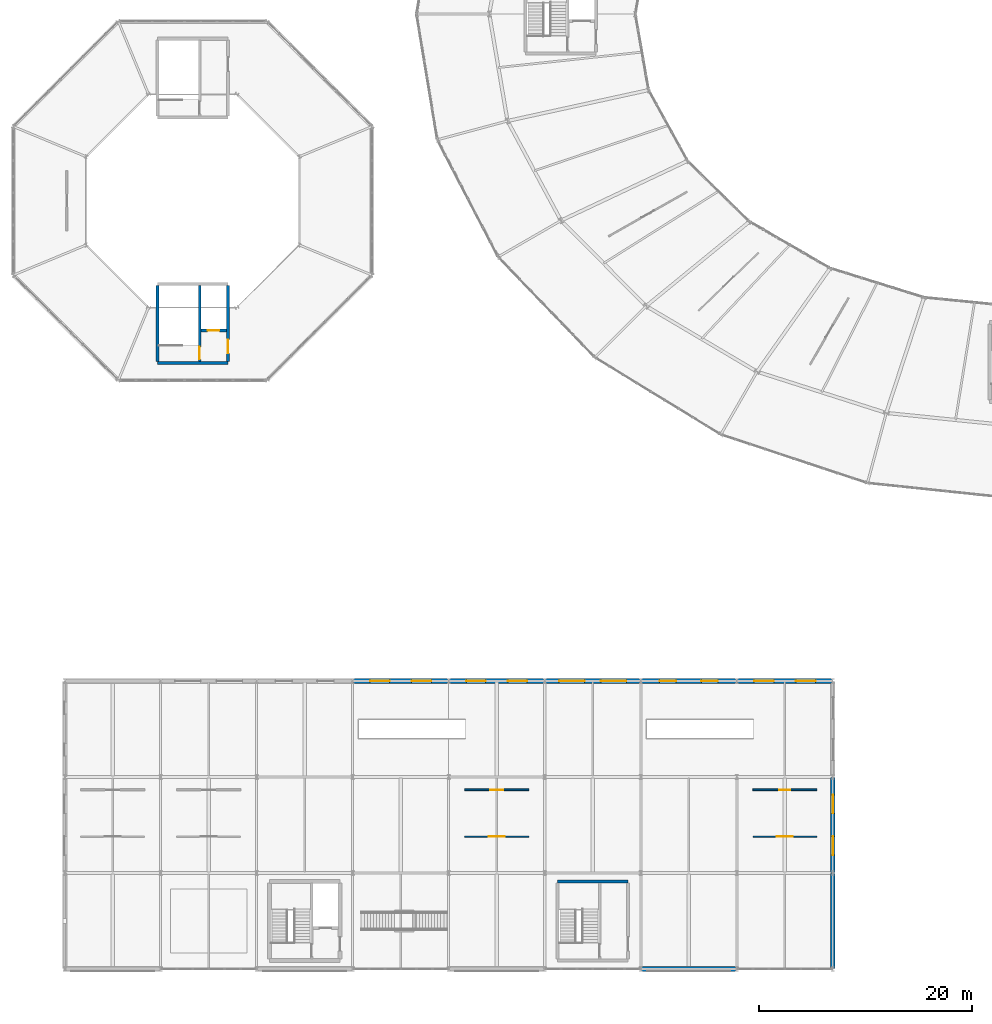
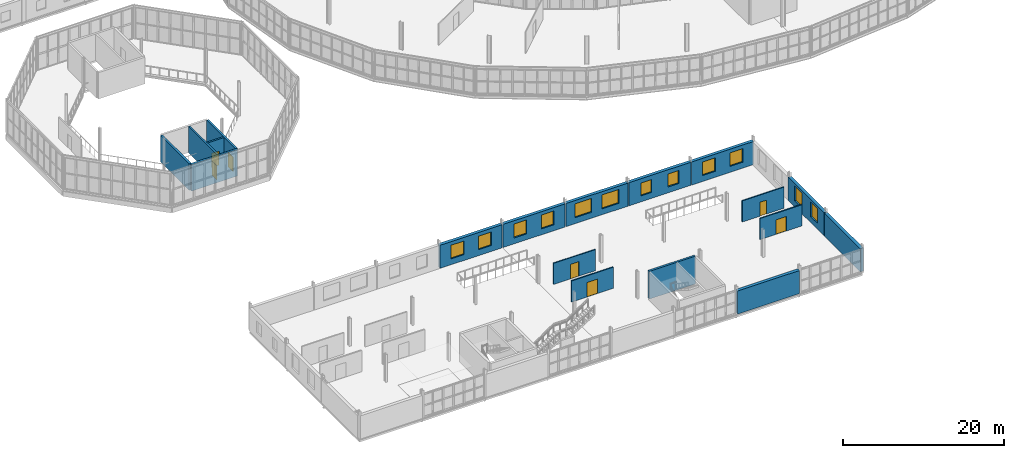
# One storey, part 134 of 161: 18 walls, 12 windows, 7 doors, 19 openings.
"""IFC4 building model written with IfcOpenShell, lengths in metres."""

from ifc_helpers import new_model, si_unit, direction, frame, frame_2d, origin, place, context, subcontext, project, spatial, rectangle, extrude, material, layer, layer_set, type_object, element, fill, save


model = new_model("IFC4")

# Units and contexts
model_context = context("Model", 3, precision=1e-05, world=origin(), true_north=direction((0.0, 1.0)))
body_context = subcontext(model_context, "Body", "Model", "MODEL_VIEW")
ifc_project = project(units=[si_unit("LENGTHUNIT", "METRE"), si_unit("AREAUNIT", "SQUARE_METRE"), si_unit("VOLUMEUNIT", "CUBIC_METRE"), si_unit("PLANEANGLEUNIT", "RADIAN"), si_unit("MASSUNIT", "GRAM", prefix="KILO")], contexts=[model_context])

# Site, building, storey
site_placement = place(None, origin())
site = spatial("IfcSite", under=ifc_project, at=site_placement, CompositionType="ELEMENT")
building_placement = place(site_placement, origin())
building = spatial("IfcBuilding", under=site, at=building_placement, Name="Kildeholm Park Wholesale Market", CompositionType="ELEMENT")
storey_placement = place(building_placement, frame((0.0, 0.0, 5.39990234375)))
storey = spatial("IfcBuildingStorey", under=building, at=storey_placement, Name="L01", CompositionType="ELEMENT", Elevation=5.39990234375)

# Wall
ifc_material_1 = material(Name="Insulated clinker brick and glazed ceramic mosaic facade wall", Category="masonry")
ifc_layer_1 = layer(ifc_material_1, 0.43994140625)
ifc_layer_set_1 = layer_set([ifc_layer_1], Name="Insulated clinker brick and glazed ceramic mosaic facade wall")
wall_type_1 = type_object("IfcWallType", Name="Exterior wall W-EX3 440 mm", PredefinedType="SOLIDWALL", material=ifc_layer_set_1)
wall_1_placement = place(storey_placement, frame((63.06005859375, 0.0, 0.0), z_axis=(0.0, 0.0, 1.0), x_axis=(1.0, 0.0, 0.0)))
element("IfcWall", 1, at=wall_1_placement, inside=storey, type_object=wall_type_1, Name="Exterior wall V5W-L01-S07.1 WL-0520", PredefinedType="SOLIDWALL", context=body_context, shape_type="SweptSolid", body=[
    extrude(rectangle(XDim=8.8798828125, YDim=0.43994140625, at=frame_2d((4.43994140625, 0.0))), origin(), (0.0, 0.0, 1.0), 3.5),
])

# Wall, openings, windows
wall_2_placement = place(storey_placement, frame((36.06005859375, 27.0, 0.0), z_axis=(0.0, 0.0, 1.0), x_axis=(1.0, 0.0, 0.0)))
wall_2 = element("IfcWall", 2, at=wall_2_placement, inside=storey, type_object=wall_type_1, Name="Exterior wall V5W-L01-N.4 WL-0524", PredefinedType="SOLIDWALL", context=body_context, shape_type="SweptSolid", body=[
    extrude(rectangle(XDim=8.8798828125, YDim=0.43994140625, at=frame_2d((4.43994140625, 0.0))), origin(), (0.0, 0.0, 1.0), 3.5),
])
opening_1_placement = place(wall_2_placement, frame((1.56103515625, 0.0, 0.89990234375)))
opening_1 = element("IfcOpeningElement", 3, at=opening_1_placement, cuts=wall_2, Name="Opening WN-30", PredefinedType="OPENING", context=body_context, shape_type="SweptSolid", body=[
    extrude(rectangle(XDim=1.85009765625, YDim=2.050048828125, at=frame_2d((0.925048828125, 1.02490234375))), frame((0.0, 0.22998046875, 0.0), z_axis=(0.0, -1.0, 0.0), x_axis=(1.0, 0.0, 0.0)), (0.0, 0.0, 1.0), 0.4599609375),
])
opening_2_placement = place(wall_2_placement, frame((5.468994140625, 0.0, 0.89990234375)))
opening_2 = element("IfcOpeningElement", 4, at=opening_2_placement, cuts=wall_2, Name="Opening WN-30", PredefinedType="OPENING", context=body_context, shape_type="SweptSolid", body=[
    extrude(rectangle(XDim=1.85009765625, YDim=2.050048828125, at=frame_2d((0.925048828125, 1.02490234375))), frame((0.0, 0.22998046875, 0.0), z_axis=(0.0, -1.0, 0.0), x_axis=(1.0, 0.0, 0.0)), (0.0, 0.0, 1.0), 0.4599609375),
])
ifc_material_2 = material(Name="Thermally broken aluminium and triple-glazed low-E glass", Category="aluminium")
window_type_1 = type_object("IfcWindowType", Name="Window WN-30 1850x2050", PartitioningType="DOUBLE_PANEL_VERTICAL", PredefinedType="WINDOW", material=ifc_material_2)
window_1_placement = place(opening_1_placement, origin())
window_1 = element("IfcWindow", 5, at=window_1_placement, inside=storey, type_object=window_type_1, Name="Window V5W-L01-N.4.1 WIN-0307", OverallHeight=2.050048828125, OverallWidth=1.85009765625, PartitioningType="SINGLE_PANEL", PredefinedType="WINDOW", context=body_context, shape_type="SweptSolid", body=[
    extrude(rectangle(XDim=1.85009765625, YDim=2.050048828125, at=frame_2d((0.925048828125, 1.02490234375))), frame((0.0, 0.030029296875, 0.0), z_axis=(0.0, -1.0, 0.0), x_axis=(1.0, 0.0, 0.0)), (0.0, 0.0, 1.0), 0.06005859375),
])
fill(opening_1, window_1)
window_2_placement = place(opening_2_placement, origin())
window_2 = element("IfcWindow", 6, at=window_2_placement, inside=storey, type_object=window_type_1, Name="Window V5W-L01-N.4.2 WIN-0308", OverallHeight=2.050048828125, OverallWidth=1.85009765625, PartitioningType="SINGLE_PANEL", PredefinedType="WINDOW", context=body_context, shape_type="SweptSolid", body=[
    extrude(rectangle(XDim=1.85009765625, YDim=2.050048828125, at=frame_2d((0.925048828125, 1.02490234375))), frame((0.0, 0.030029296875, 0.0), z_axis=(0.0, -1.0, 0.0), x_axis=(1.0, 0.0, 0.0)), (0.0, 0.0, 1.0), 0.06005859375),
])
fill(opening_2, window_2)

wall_3_placement = place(storey_placement, frame((45.06005859375, 27.0, 0.0), z_axis=(0.0, 0.0, 1.0), x_axis=(1.0, 0.0, 0.0)))
wall_3 = element("IfcWall", 7, at=wall_3_placement, inside=storey, type_object=wall_type_1, Name="Exterior wall V5W-L01-N.5 WL-0525", PredefinedType="SOLIDWALL", context=body_context, shape_type="SweptSolid", body=[
    extrude(rectangle(XDim=8.8798828125, YDim=0.43994140625, at=frame_2d((4.43994140625, 0.0))), origin(), (0.0, 0.0, 1.0), 3.5),
])
opening_3_placement = place(wall_3_placement, frame((1.5859375, 0.0, 0.89990234375)))
opening_3 = element("IfcOpeningElement", 8, at=opening_3_placement, cuts=wall_3, Name="Opening WN-02", PredefinedType="OPENING", context=body_context, shape_type="SweptSolid", body=[
    extrude(rectangle(XDim=1.800048828125, YDim=2.10009765625, at=frame_2d((0.89990234375, 1.050048828125))), frame((0.0, 0.22998046875, 0.0), z_axis=(0.0, -1.0, 0.0), x_axis=(1.0, 0.0, 0.0)), (0.0, 0.0, 1.0), 0.4599609375),
])
opening_4_placement = place(wall_3_placement, frame((5.493896484375, 0.0, 0.89990234375)))
opening_4 = element("IfcOpeningElement", 9, at=opening_4_placement, cuts=wall_3, Name="Opening WN-02", PredefinedType="OPENING", context=body_context, shape_type="SweptSolid", body=[
    extrude(rectangle(XDim=1.800048828125, YDim=2.10009765625, at=frame_2d((0.89990234375, 1.050048828125))), frame((0.0, 0.22998046875, 0.0), z_axis=(0.0, -1.0, 0.0), x_axis=(1.0, 0.0, 0.0)), (0.0, 0.0, 1.0), 0.4599609375),
])
window_type_2 = type_object("IfcWindowType", Name="Window WN-02 1800x2100", PartitioningType="DOUBLE_PANEL_VERTICAL", PredefinedType="WINDOW", material=ifc_material_2)
window_3_placement = place(opening_3_placement, origin())
window_3 = element("IfcWindow", 10, at=window_3_placement, inside=storey, type_object=window_type_2, Name="Window V5W-L01-N.5.1 WIN-0309", OverallHeight=2.10009765625, OverallWidth=1.800048828125, PartitioningType="SINGLE_PANEL", PredefinedType="WINDOW", context=body_context, shape_type="SweptSolid", body=[
    extrude(rectangle(XDim=1.800048828125, YDim=2.10009765625, at=frame_2d((0.89990234375, 1.050048828125))), frame((0.0, 0.030029296875, 0.0), z_axis=(0.0, -1.0, 0.0), x_axis=(1.0, 0.0, 0.0)), (0.0, 0.0, 1.0), 0.06005859375),
])
fill(opening_3, window_3)
window_4_placement = place(opening_4_placement, origin())
window_4 = element("IfcWindow", 11, at=window_4_placement, inside=storey, type_object=window_type_2, Name="Window V5W-L01-N.5.2 WIN-0310", OverallHeight=2.10009765625, OverallWidth=1.800048828125, PartitioningType="SINGLE_PANEL", PredefinedType="WINDOW", context=body_context, shape_type="SweptSolid", body=[
    extrude(rectangle(XDim=1.800048828125, YDim=2.10009765625, at=frame_2d((0.89990234375, 1.050048828125))), frame((0.0, 0.030029296875, 0.0), z_axis=(0.0, -1.0, 0.0), x_axis=(1.0, 0.0, 0.0)), (0.0, 0.0, 1.0), 0.06005859375),
])
fill(opening_4, window_4)

wall_4_placement = place(storey_placement, frame((54.06005859375, 27.0, 0.0), z_axis=(0.0, 0.0, 1.0), x_axis=(1.0, 0.0, 0.0)))
wall_4 = element("IfcWall", 12, at=wall_4_placement, inside=storey, type_object=wall_type_1, Name="Exterior wall V5W-L01-N.6 WL-0526", PredefinedType="SOLIDWALL", context=body_context, shape_type="SweptSolid", body=[
    extrude(rectangle(XDim=8.8798828125, YDim=0.43994140625, at=frame_2d((4.43994140625, 0.0))), origin(), (0.0, 0.0, 1.0), 3.5),
])
opening_5_placement = place(wall_4_placement, frame((1.285888671875, 0.0, 0.89990234375)))
opening_5 = element("IfcOpeningElement", 13, at=opening_5_placement, cuts=wall_4, Name="Opening WN-04", PredefinedType="OPENING", context=body_context, shape_type="SweptSolid", body=[
    extrude(rectangle(XDim=2.39990234375, YDim=2.10009765625, at=frame_2d((1.199951171875, 1.050048828125))), frame((0.0, 0.22998046875, 0.0), z_axis=(0.0, -1.0, 0.0), x_axis=(1.0, 0.0, 0.0)), (0.0, 0.0, 1.0), 0.4599609375),
])
opening_6_placement = place(wall_4_placement, frame((5.194091796875, 0.0, 0.89990234375)))
opening_6 = element("IfcOpeningElement", 14, at=opening_6_placement, cuts=wall_4, Name="Opening WN-04", PredefinedType="OPENING", context=body_context, shape_type="SweptSolid", body=[
    extrude(rectangle(XDim=2.39990234375, YDim=2.10009765625, at=frame_2d((1.199951171875, 1.050048828125))), frame((0.0, 0.22998046875, 0.0), z_axis=(0.0, -1.0, 0.0), x_axis=(1.0, 0.0, 0.0)), (0.0, 0.0, 1.0), 0.4599609375),
])
window_type_3 = type_object("IfcWindowType", Name="Window WN-04 2400x2100", PartitioningType="TRIPLE_PANEL_VERTICAL", PredefinedType="WINDOW", material=ifc_material_2)
window_5_placement = place(opening_5_placement, origin())
window_5 = element("IfcWindow", 15, at=window_5_placement, inside=storey, type_object=window_type_3, Name="Window V5W-L01-N.6.1 WIN-0311", OverallHeight=2.10009765625, OverallWidth=2.39990234375, PartitioningType="SINGLE_PANEL", PredefinedType="WINDOW", context=body_context, shape_type="SweptSolid", body=[
    extrude(rectangle(XDim=2.39990234375, YDim=2.10009765625, at=frame_2d((1.199951171875, 1.050048828125))), frame((0.0, 0.030029296875, 0.0), z_axis=(0.0, -1.0, 0.0), x_axis=(1.0, 0.0, 0.0)), (0.0, 0.0, 1.0), 0.06005859375),
])
fill(opening_5, window_5)
window_6_placement = place(opening_6_placement, origin())
window_6 = element("IfcWindow", 16, at=window_6_placement, inside=storey, type_object=window_type_3, Name="Window V5W-L01-N.6.2 WIN-0312", OverallHeight=2.10009765625, OverallWidth=2.39990234375, PartitioningType="SINGLE_PANEL", PredefinedType="WINDOW", context=body_context, shape_type="SweptSolid", body=[
    extrude(rectangle(XDim=2.39990234375, YDim=2.10009765625, at=frame_2d((1.199951171875, 1.050048828125))), frame((0.0, 0.030029296875, 0.0), z_axis=(0.0, -1.0, 0.0), x_axis=(1.0, 0.0, 0.0)), (0.0, 0.0, 1.0), 0.06005859375),
])
fill(opening_6, window_6)

wall_5_placement = place(storey_placement, frame((63.06005859375, 27.0, 0.0), z_axis=(0.0, 0.0, 1.0), x_axis=(1.0, 0.0, 0.0)))
wall_5 = element("IfcWall", 17, at=wall_5_placement, inside=storey, type_object=wall_type_1, Name="Exterior wall V5W-L01-N.7 WL-0527", PredefinedType="SOLIDWALL", context=body_context, shape_type="SweptSolid", body=[
    extrude(rectangle(XDim=8.8798828125, YDim=0.43994140625, at=frame_2d((4.43994140625, 0.0))), origin(), (0.0, 0.0, 1.0), 3.5),
])
opening_7_placement = place(wall_5_placement, frame((1.7109375, 0.0, 0.89990234375)))
opening_7 = element("IfcOpeningElement", 18, at=opening_7_placement, cuts=wall_5, Name="Opening WN-29", PredefinedType="OPENING", context=body_context, shape_type="SweptSolid", body=[
    extrude(rectangle(XDim=1.550048828125, YDim=1.949951171875, at=frame_2d((0.77490234375, 0.97509765625))), frame((0.0, 0.22998046875, 0.0), z_axis=(0.0, -1.0, 0.0), x_axis=(1.0, 0.0, 0.0)), (0.0, 0.0, 1.0), 0.4599609375),
])
opening_8_placement = place(wall_5_placement, frame((5.618896484375, 0.0, 0.89990234375)))
opening_8 = element("IfcOpeningElement", 19, at=opening_8_placement, cuts=wall_5, Name="Opening WN-29", PredefinedType="OPENING", context=body_context, shape_type="SweptSolid", body=[
    extrude(rectangle(XDim=1.550048828125, YDim=1.949951171875, at=frame_2d((0.77490234375, 0.97509765625))), frame((0.0, 0.22998046875, 0.0), z_axis=(0.0, -1.0, 0.0), x_axis=(1.0, 0.0, 0.0)), (0.0, 0.0, 1.0), 0.4599609375),
])
window_type_4 = type_object("IfcWindowType", Name="Window WN-29 1550x1950", PartitioningType="DOUBLE_PANEL_VERTICAL", PredefinedType="WINDOW", material=ifc_material_2)
window_7_placement = place(opening_7_placement, origin())
window_7 = element("IfcWindow", 20, at=window_7_placement, inside=storey, type_object=window_type_4, Name="Window V5W-L01-N.7.1 WIN-0313", OverallHeight=1.949951171875, OverallWidth=1.550048828125, PartitioningType="SINGLE_PANEL", PredefinedType="WINDOW", context=body_context, shape_type="SweptSolid", body=[
    extrude(rectangle(XDim=1.550048828125, YDim=1.949951171875, at=frame_2d((0.77490234375, 0.97509765625))), frame((0.0, 0.030029296875, 0.0), z_axis=(0.0, -1.0, 0.0), x_axis=(1.0, 0.0, 0.0)), (0.0, 0.0, 1.0), 0.06005859375),
])
fill(opening_7, window_7)
window_8_placement = place(opening_8_placement, origin())
window_8 = element("IfcWindow", 21, at=window_8_placement, inside=storey, type_object=window_type_4, Name="Window V5W-L01-N.7.2 WIN-0314", OverallHeight=1.949951171875, OverallWidth=1.550048828125, PartitioningType="SINGLE_PANEL", PredefinedType="WINDOW", context=body_context, shape_type="SweptSolid", body=[
    extrude(rectangle(XDim=1.550048828125, YDim=1.949951171875, at=frame_2d((0.77490234375, 0.97509765625))), frame((0.0, 0.030029296875, 0.0), z_axis=(0.0, -1.0, 0.0), x_axis=(1.0, 0.0, 0.0)), (0.0, 0.0, 1.0), 0.06005859375),
])
fill(opening_8, window_8)

wall_6_placement = place(storey_placement, frame((72.06005859375, 27.0, 0.0), z_axis=(0.0, 0.0, 1.0), x_axis=(1.0, 0.0, 0.0)))
wall_6 = element("IfcWall", 22, at=wall_6_placement, inside=storey, type_object=wall_type_1, Name="Exterior wall V5W-L01-N.8 WL-0528", PredefinedType="SOLIDWALL", context=body_context, shape_type="SweptSolid", body=[
    extrude(rectangle(XDim=8.8798828125, YDim=0.43994140625, at=frame_2d((4.43994140625, 0.0))), origin(), (0.0, 0.0, 1.0), 3.5),
])
opening_9_placement = place(wall_6_placement, frame((1.56103515625, 0.0, 0.89990234375)))
opening_9 = element("IfcOpeningElement", 23, at=opening_9_placement, cuts=wall_6, Name="Opening WN-30", PredefinedType="OPENING", context=body_context, shape_type="SweptSolid", body=[
    extrude(rectangle(XDim=1.85009765625, YDim=2.050048828125, at=frame_2d((0.925048828125, 1.02490234375))), frame((0.0, 0.22998046875, 0.0), z_axis=(0.0, -1.0, 0.0), x_axis=(1.0, 0.0, 0.0)), (0.0, 0.0, 1.0), 0.4599609375),
])
opening_10_placement = place(wall_6_placement, frame((5.468994140625, 0.0, 0.89990234375)))
opening_10 = element("IfcOpeningElement", 24, at=opening_10_placement, cuts=wall_6, Name="Opening WN-30", PredefinedType="OPENING", context=body_context, shape_type="SweptSolid", body=[
    extrude(rectangle(XDim=1.85009765625, YDim=2.050048828125, at=frame_2d((0.925048828125, 1.02490234375))), frame((0.0, 0.22998046875, 0.0), z_axis=(0.0, -1.0, 0.0), x_axis=(1.0, 0.0, 0.0)), (0.0, 0.0, 1.0), 0.4599609375),
])
window_9_placement = place(opening_9_placement, origin())
window_9 = element("IfcWindow", 25, at=window_9_placement, inside=storey, type_object=window_type_1, Name="Window V5W-L01-N.8.1 WIN-0315", OverallHeight=2.050048828125, OverallWidth=1.85009765625, PartitioningType="SINGLE_PANEL", PredefinedType="WINDOW", context=body_context, shape_type="SweptSolid", body=[
    extrude(rectangle(XDim=1.85009765625, YDim=2.050048828125, at=frame_2d((0.925048828125, 1.02490234375))), frame((0.0, 0.030029296875, 0.0), z_axis=(0.0, -1.0, 0.0), x_axis=(1.0, 0.0, 0.0)), (0.0, 0.0, 1.0), 0.06005859375),
])
fill(opening_9, window_9)
window_10_placement = place(opening_10_placement, origin())
window_10 = element("IfcWindow", 26, at=window_10_placement, inside=storey, type_object=window_type_1, Name="Window V5W-L01-N.8.2 WIN-0316", OverallHeight=2.050048828125, OverallWidth=1.85009765625, PartitioningType="SINGLE_PANEL", PredefinedType="WINDOW", context=body_context, shape_type="SweptSolid", body=[
    extrude(rectangle(XDim=1.85009765625, YDim=2.050048828125, at=frame_2d((0.925048828125, 1.02490234375))), frame((0.0, 0.030029296875, 0.0), z_axis=(0.0, -1.0, 0.0), x_axis=(1.0, 0.0, 0.0)), (0.0, 0.0, 1.0), 0.06005859375),
])
fill(opening_10, window_10)

# Wall
wall_7_placement = place(storey_placement, frame((81.0, 0.06005859375, 0.0), z_axis=(0.0, 0.0, 1.0), x_axis=(0.0, 1.0, 0.0)))
element("IfcWall", 27, at=wall_7_placement, inside=storey, type_object=wall_type_1, Name="Exterior wall V5W-L01-E.1 WL-0532", PredefinedType="SOLIDWALL", context=body_context, shape_type="SweptSolid", body=[
    extrude(rectangle(XDim=8.8798828125, YDim=0.43994140625, at=frame_2d((4.43994140625, 0.0))), origin(), (0.0, 0.0, 1.0), 3.5),
])

# Wall, openings, windows
wall_8_placement = place(storey_placement, frame((81.0, 9.06005859375, 0.0), z_axis=(0.0, 0.0, 1.0), x_axis=(0.0, 1.0, 0.0)))
wall_8 = element("IfcWall", 28, at=wall_8_placement, inside=storey, type_object=wall_type_1, Name="Exterior wall V5W-L01-E.2 WL-0533", PredefinedType="SOLIDWALL", context=body_context, shape_type="SweptSolid", body=[
    extrude(rectangle(XDim=8.8798828125, YDim=0.43994140625, at=frame_2d((4.43994140625, 0.0))), origin(), (0.0, 0.0, 1.0), 3.5),
])
opening_11_placement = place(wall_8_placement, frame((1.611083984375, 0.0, 0.89990234375)))
opening_11 = element("IfcOpeningElement", 29, at=opening_11_placement, cuts=wall_8, Name="Opening WN-25", PredefinedType="OPENING", context=body_context, shape_type="SweptSolid", body=[
    extrude(rectangle(XDim=1.75, YDim=2.25, at=frame_2d((0.875, 1.125))), frame((0.0, 0.22998046875, 0.0), z_axis=(0.0, -1.0, 0.0), x_axis=(1.0, 0.0, 0.0)), (0.0, 0.0, 1.0), 0.4599609375),
])
opening_12_placement = place(wall_8_placement, frame((5.51904296875, 0.0, 0.89990234375)))
opening_12 = element("IfcOpeningElement", 30, at=opening_12_placement, cuts=wall_8, Name="Opening WN-25", PredefinedType="OPENING", context=body_context, shape_type="SweptSolid", body=[
    extrude(rectangle(XDim=1.75, YDim=2.25, at=frame_2d((0.875, 1.125))), frame((0.0, 0.22998046875, 0.0), z_axis=(0.0, -1.0, 0.0), x_axis=(1.0, 0.0, 0.0)), (0.0, 0.0, 1.0), 0.4599609375),
])
window_type_5 = type_object("IfcWindowType", Name="Window WN-25 1750x2250", PartitioningType="DOUBLE_PANEL_VERTICAL", PredefinedType="WINDOW", material=ifc_material_2)
window_11_placement = place(opening_11_placement, origin())
window_11 = element("IfcWindow", 31, at=window_11_placement, inside=storey, type_object=window_type_5, Name="Window V5W-L01-E.2.1 WIN-0321", OverallHeight=2.25, OverallWidth=1.75, PartitioningType="SINGLE_PANEL", PredefinedType="WINDOW", context=body_context, shape_type="SweptSolid", body=[
    extrude(rectangle(XDim=1.75, YDim=2.25, at=frame_2d((0.875, 1.125))), frame((0.0, 0.030029296875, 0.0), z_axis=(0.0, -1.0, 0.0), x_axis=(1.0, 0.0, 0.0)), (0.0, 0.0, 1.0), 0.06005859375),
])
fill(opening_11, window_11)
window_12_placement = place(opening_12_placement, origin())
window_12 = element("IfcWindow", 32, at=window_12_placement, inside=storey, type_object=window_type_5, Name="Window V5W-L01-E.2.2 WIN-0322", OverallHeight=2.25, OverallWidth=1.75, PartitioningType="SINGLE_PANEL", PredefinedType="WINDOW", context=body_context, shape_type="SweptSolid", body=[
    extrude(rectangle(XDim=1.75, YDim=2.25, at=frame_2d((0.875, 1.125))), frame((0.0, 0.030029296875, 0.0), z_axis=(0.0, -1.0, 0.0), x_axis=(1.0, 0.0, 0.0)), (0.0, 0.0, 1.0), 0.06005859375),
])
fill(opening_12, window_12)

# Wall, opening, door
ifc_material_3 = material(Name="Fire-rated corridor and lobby partition")
ifc_layer_2 = layer(ifc_material_3, 0.14990234375)
ifc_layer_set_2 = layer_set([ifc_layer_2], Name="Fire-rated corridor and lobby partition")
wall_type_2 = type_object("IfcWallType", Name="Partition W-PT04 150 mm", PredefinedType="PARTITIONING", material=ifc_layer_set_2)
wall_9_placement = place(storey_placement, frame((46.5, 16.800048828125, 0.0), z_axis=(0.0, 0.0, 1.0), x_axis=(1.0, 0.0, 0.0)))
wall_9 = element("IfcWall", 33, at=wall_9_placement, inside=storey, type_object=wall_type_2, Name="Interior partition W-V5W-L01-CN5 WL-1014", PredefinedType="PARTITIONING", context=body_context, shape_type="SweptSolid", body=[
    extrude(rectangle(XDim=6.0, YDim=0.14990234375, at=frame_2d((3.0, 0.0))), origin(), (0.0, 0.0, 1.0), 3.2001953125),
])
opening_13_placement = place(wall_9_placement, frame((2.39990234375, 0.0, 0.0)))
opening_13 = element("IfcOpeningElement", 34, at=opening_13_placement, cuts=wall_9, Name="Opening D-IN11", PredefinedType="OPENING", context=body_context, shape_type="SweptSolid", body=[
    extrude(rectangle(XDim=1.199951171875, YDim=2.199951171875, at=frame_2d((0.60009765625, 1.10009765625))), frame((0.0, 0.0849609375, 0.0), z_axis=(0.0, -1.0, 0.0), x_axis=(1.0, 0.0, 0.0)), (0.0, 0.0, 1.0), 0.169921875),
])
ifc_material_4 = material(Name="Culinary workshop glazed doorset")
door_type_1 = type_object("IfcDoorType", Name="Interior door D-IN11 1200x2200", OperationType="NOTDEFINED", PredefinedType="DOOR", material=ifc_material_4)
door_1_placement = place(opening_13_placement, origin())
door_1 = element("IfcDoor", 35, at=door_1_placement, inside=storey, type_object=door_type_1, Name="Interior door V5W-L01-CN5 DR-0289 WL-1014", OperationType="SINGLE_SWING_LEFT", OverallHeight=2.199951171875, OverallWidth=1.199951171875, PredefinedType="DOOR", context=body_context, shape_type="SweptSolid", body=[
    extrude(rectangle(XDim=1.199951171875, YDim=2.199951171875, at=frame_2d((0.60009765625, 1.10009765625))), frame((0.0, 0.02490234375, 0.0), z_axis=(0.0, -1.0, 0.0), x_axis=(1.0, 0.0, 0.0)), (0.0, 0.0, 1.0), 0.050048828125),
])
fill(opening_13, door_1)

wall_10_placement = place(storey_placement, frame((73.5, 16.800048828125, 0.0), z_axis=(0.0, 0.0, 1.0), x_axis=(1.0, 0.0, 0.0)))
wall_10 = element("IfcWall", 36, at=wall_10_placement, inside=storey, type_object=wall_type_2, Name="Interior partition W-V5W-L01-CN8 WL-1016", PredefinedType="PARTITIONING", context=body_context, shape_type="SweptSolid", body=[
    extrude(rectangle(XDim=6.0, YDim=0.14990234375, at=frame_2d((3.0, 0.0))), origin(), (0.0, 0.0, 1.0), 3.2001953125),
])
opening_14_placement = place(wall_10_placement, frame((2.5, 0.0, 0.0)))
opening_14 = element("IfcOpeningElement", 37, at=opening_14_placement, cuts=wall_10, Name="Opening D-IN02", PredefinedType="OPENING", context=body_context, shape_type="SweptSolid", body=[
    extrude(rectangle(XDim=1.0, YDim=2.10009765625, at=frame_2d((0.5, 1.050048828125))), frame((0.0, 0.0849609375, 0.0), z_axis=(0.0, -1.0, 0.0), x_axis=(1.0, 0.0, 0.0)), (0.0, 0.0, 1.0), 0.169921875),
])
ifc_material_5 = material(Name="Hygienic laminate accessible WC doorset")
door_type_2 = type_object("IfcDoorType", Name="Interior door D-IN02 1000x2100", OperationType="NOTDEFINED", PredefinedType="DOOR", material=ifc_material_5)
door_2_placement = place(opening_14_placement, origin())
door_2 = element("IfcDoor", 38, at=door_2_placement, inside=storey, type_object=door_type_2, Name="Interior door V5W-L01-CN8 DR-0291 WL-1016", OperationType="SINGLE_SWING_LEFT", OverallHeight=2.10009765625, OverallWidth=1.0, PredefinedType="DOOR", context=body_context, shape_type="SweptSolid", body=[
    extrude(rectangle(XDim=1.0, YDim=2.10009765625, at=frame_2d((0.5, 1.050048828125))), frame((0.0, 0.02490234375, 0.0), z_axis=(0.0, -1.0, 0.0), x_axis=(1.0, 0.0, 0.0)), (0.0, 0.0, 1.0), 0.050048828125),
])
fill(opening_14, door_2)

ifc_material_6 = material(Name="Commercial kitchen fire and hygiene wall")
ifc_layer_3 = layer(ifc_material_6, 0.175048828125)
ifc_layer_set_3 = layer_set([ifc_layer_3], Name="Commercial kitchen fire and hygiene wall")
wall_type_3 = type_object("IfcWallType", Name="Partition W-PT13 175 mm", PredefinedType="PARTITIONING", material=ifc_layer_set_3)
wall_11_placement = place(storey_placement, frame((46.5, 12.39990234375, 0.0), z_axis=(0.0, 0.0, 1.0), x_axis=(1.0, 0.0, 0.0)))
wall_11 = element("IfcWall", 39, at=wall_11_placement, inside=storey, type_object=wall_type_3, Name="Interior partition W-V5W-L01-CS5 WL-1013", PredefinedType="PARTITIONING", context=body_context, shape_type="SweptSolid", body=[
    extrude(rectangle(XDim=6.0, YDim=0.175048828125, at=frame_2d((3.0, 0.0))), origin(), (0.0, 0.0, 1.0), 3.2001953125),
])
opening_15_placement = place(wall_11_placement, frame((2.25, 0.0, 0.0)))
opening_15 = element("IfcOpeningElement", 40, at=opening_15_placement, cuts=wall_11, Name="Opening D-IN05", PredefinedType="OPENING", context=body_context, shape_type="SweptSolid", body=[
    extrude(rectangle(XDim=1.5, YDim=2.199951171875, at=frame_2d((0.75, 1.10009765625))), frame((0.0, 0.097412109375, 0.0), z_axis=(0.0, -1.0, 0.0), x_axis=(1.0, 0.0, 0.0)), (0.0, 0.0, 1.0), 0.195068359375),
])
ifc_material_7 = material(Name="Double-leaf canteen and kitchen doorset")
door_type_3 = type_object("IfcDoorType", Name="Interior door D-IN05 1500x2200", OperationType="NOTDEFINED", PredefinedType="DOOR", material=ifc_material_7)
door_3_placement = place(opening_15_placement, origin())
door_3 = element("IfcDoor", 41, at=door_3_placement, inside=storey, type_object=door_type_3, Name="Interior door V5W-L01-CS5 DR-0288 WL-1013", OperationType="DOUBLE_DOOR_SINGLE_SWING", OverallHeight=2.199951171875, OverallWidth=1.5, PredefinedType="DOOR", context=body_context, shape_type="SweptSolid", body=[
    extrude(rectangle(XDim=1.5, YDim=2.199951171875, at=frame_2d((0.75, 1.10009765625))), frame((0.0, 0.02490234375, 0.0), z_axis=(0.0, -1.0, 0.0), x_axis=(1.0, 0.0, 0.0)), (0.0, 0.0, 1.0), 0.050048828125),
])
fill(opening_15, door_3)

wall_12_placement = place(storey_placement, frame((73.5, 12.39990234375, 0.0), z_axis=(0.0, 0.0, 1.0), x_axis=(1.0, 0.0, 0.0)))
wall_12 = element("IfcWall", 42, at=wall_12_placement, inside=storey, type_object=wall_type_3, Name="Interior partition W-V5W-L01-CS8 WL-1015", PredefinedType="PARTITIONING", context=body_context, shape_type="SweptSolid", body=[
    extrude(rectangle(XDim=6.0, YDim=0.175048828125, at=frame_2d((3.0, 0.0))), origin(), (0.0, 0.0, 1.0), 3.2001953125),
])
opening_16_placement = place(wall_12_placement, frame((2.25, 0.0, 0.0)))
opening_16 = element("IfcOpeningElement", 43, at=opening_16_placement, cuts=wall_12, Name="Opening D-IN05", PredefinedType="OPENING", context=body_context, shape_type="SweptSolid", body=[
    extrude(rectangle(XDim=1.5, YDim=2.199951171875, at=frame_2d((0.75, 1.10009765625))), frame((0.0, 0.097412109375, 0.0), z_axis=(0.0, -1.0, 0.0), x_axis=(1.0, 0.0, 0.0)), (0.0, 0.0, 1.0), 0.195068359375),
])
door_4_placement = place(opening_16_placement, origin())
door_4 = element("IfcDoor", 44, at=door_4_placement, inside=storey, type_object=door_type_3, Name="Interior door V5W-L01-CS8 DR-0290 WL-1015", OperationType="DOUBLE_DOOR_SINGLE_SWING", OverallHeight=2.199951171875, OverallWidth=1.5, PredefinedType="DOOR", context=body_context, shape_type="SweptSolid", body=[
    extrude(rectangle(XDim=1.5, YDim=2.199951171875, at=frame_2d((0.75, 1.10009765625))), frame((0.0, 0.02490234375, 0.0), z_axis=(0.0, -1.0, 0.0), x_axis=(1.0, 0.0, 0.0)), (0.0, 0.0, 1.0), 0.050048828125),
])
fill(opening_16, door_4)

# Walls
ifc_material_8 = material(Name="Concrete C40/50", Category="concrete")
ifc_layer_4 = layer(ifc_material_8, 0.300048828125)
ifc_layer_set_4 = layer_set([ifc_layer_4], Name="Concrete C40/50")
wall_type_4 = type_object("IfcWallType", Name="Shear wall W-SH1 300 mm", PredefinedType="SHEAR", material=ifc_layer_set_4)
wall_13_placement = place(storey_placement, frame((55.199951171875, 8.199951171875, 0.0), z_axis=(0.0, 0.0, 1.0), x_axis=(1.0, 0.0, 0.0)))
element("IfcWall", 45, at=wall_13_placement, inside=storey, type_object=wall_type_4, Name="Core C05 north shear wall L01 WL-0734", PredefinedType="SHEAR", context=body_context, shape_type="SweptSolid", body=[
    extrude(rectangle(XDim=6.60009765625, YDim=0.300048828125, at=frame_2d((3.300048828125, 0.0))), origin(), (0.0, 0.0, 1.0), 4.2001953125),
])
wall_14_placement = place(storey_placement, frame((17.699951171875, 56.800048828125, 0.0), z_axis=(0.0, 0.0, 1.0), x_axis=(1.0, 0.0, 0.0)))
element("IfcWall", 46, at=wall_14_placement, inside=storey, type_object=wall_type_4, Name="Core C14 south shear wall L01 WL-0897", PredefinedType="SHEAR", context=body_context, shape_type="SweptSolid", body=[
    extrude(rectangle(XDim=6.60009765625, YDim=0.300048828125, at=frame_2d((3.300048828125, 0.0))), origin(), (0.0, 0.0, 1.0), 4.0),
])
wall_15_placement = place(storey_placement, frame((17.699951171875, 56.949951171875, 0.0), z_axis=(0.0, 0.0, 1.0), x_axis=(0.0, 1.0, 0.0)))
element("IfcWall", 47, at=wall_15_placement, inside=storey, type_object=wall_type_4, Name="Core C14 west shear wall L01 WL-0899", PredefinedType="SHEAR", context=body_context, shape_type="SweptSolid", body=[
    extrude(rectangle(XDim=7.10009765625, YDim=0.300048828125, at=frame_2d((3.550048828125, 0.0))), origin(), (0.0, 0.0, 1.0), 4.0),
])

# Wall, opening, door
wall_16_placement = place(storey_placement, frame((24.300048828125, 56.949951171875, 0.0), z_axis=(0.0, 0.0, 1.0), x_axis=(0.0, 1.0, 0.0)))
wall_16 = element("IfcWall", 48, at=wall_16_placement, inside=storey, type_object=wall_type_4, Name="Core C14 east shear wall L01 WL-0900", PredefinedType="SHEAR", context=body_context, shape_type="SweptSolid", body=[
    extrude(rectangle(XDim=7.10009765625, YDim=0.300048828125, at=frame_2d((3.550048828125, 0.0))), origin(), (0.0, 0.0, 1.0), 4.0),
])
opening_17_placement = place(wall_16_placement, frame((0.75, 0.0, 0.0)))
opening_17 = element("IfcOpeningElement", 49, at=opening_17_placement, cuts=wall_16, Name="Opening D-CR02", PredefinedType="OPENING", context=body_context, shape_type="SweptSolid", body=[
    extrude(rectangle(XDim=1.300048828125, YDim=2.14990234375, at=frame_2d((0.64990234375, 1.074951171875))), frame((0.0, 0.159912109375, 0.0), z_axis=(0.0, -1.0, 0.0), x_axis=(1.0, 0.0, 0.0)), (0.0, 0.0, 1.0), 0.320068359375),
])
ifc_material_9 = material(Name="Painted steel core lobby double-leaf doorset", Category="steel")
door_type_4 = type_object("IfcDoorType", Name="Interior door D-CR02 1300x2150", OperationType="NOTDEFINED", PredefinedType="DOOR", material=ifc_material_9)
door_5_placement = place(opening_17_placement, frame((1.300048828125, 0.0, 0.0), z_axis=(0.0, 0.0, 1.0), x_axis=(-1.0, 0.0, 0.0)))
door_5 = element("IfcDoor", 50, at=door_5_placement, inside=storey, type_object=door_type_4, Name="Core C14 lobby entrance door L01 DR-0201 WL-0900", OperationType="DOUBLE_DOOR_SINGLE_SWING", OverallHeight=2.14990234375, OverallWidth=1.300048828125, PredefinedType="DOOR", context=body_context, shape_type="SweptSolid", body=[
    extrude(rectangle(XDim=1.300048828125, YDim=2.14990234375, at=frame_2d((0.64990234375, 1.074951171875))), frame((0.0, 0.02490234375, 0.0), z_axis=(0.0, -1.0, 0.0), x_axis=(1.0, 0.0, 0.0)), (0.0, 0.0, 1.0), 0.050048828125),
])
fill(opening_17, door_5)

ifc_layer_5 = layer(ifc_material_8, 0.25)
ifc_layer_set_5 = layer_set([ifc_layer_5], Name="Concrete C40/50")
wall_type_5 = type_object("IfcWallType", Name="Shear wall W-SH2 250 mm", PredefinedType="SHEAR", material=ifc_layer_set_5)
wall_17_placement = place(storey_placement, frame((21.64990234375, 56.949951171875, 0.0), z_axis=(0.0, 0.0, 1.0), x_axis=(0.0, 1.0, 0.0)))
wall_17 = element("IfcWall", 51, at=wall_17_placement, inside=storey, type_object=wall_type_5, Name="Core C14 shaft wall L01 WL-0901", PredefinedType="SHEAR", context=body_context, shape_type="SweptSolid", body=[
    extrude(rectangle(XDim=7.10009765625, YDim=0.25, at=frame_2d((3.550048828125, 0.0))), origin(), (0.0, 0.0, 1.0), 4.0),
])
opening_18_placement = place(wall_17_placement, frame((0.199951171875, 0.0, 0.0)))
opening_18 = element("IfcOpeningElement", 52, at=opening_18_placement, cuts=wall_17, Name="Opening D-CR01", PredefinedType="OPENING", context=body_context, shape_type="SweptSolid", body=[
    extrude(rectangle(XDim=1.14990234375, YDim=2.14990234375, at=frame_2d((0.574951171875, 1.074951171875))), frame((0.0, 0.135009765625, 0.0), z_axis=(0.0, -1.0, 0.0), x_axis=(1.0, 0.0, 0.0)), (0.0, 0.0, 1.0), 0.27001953125),
])
ifc_material_10 = material(Name="Painted steel fire escape doorset", Category="steel")
door_type_5 = type_object("IfcDoorType", Name="Interior door D-CR01 1150x2150", OperationType="NOTDEFINED", PredefinedType="DOOR", material=ifc_material_10)
door_6_placement = place(opening_18_placement, frame((1.14990234375, 0.0, 0.0), z_axis=(0.0, 0.0, 1.0), x_axis=(-1.0, 0.0, 0.0)))
door_6 = element("IfcDoor", 53, at=door_6_placement, inside=storey, type_object=door_type_5, Name="Core C14 stair fire door L01 DR-0202 WL-0901", OperationType="SINGLE_SWING_RIGHT", OverallHeight=2.14990234375, OverallWidth=1.14990234375, PredefinedType="DOOR", context=body_context, shape_type="SweptSolid", body=[
    extrude(rectangle(XDim=1.14990234375, YDim=2.14990234375, at=frame_2d((0.574951171875, 1.074951171875))), frame((0.0, 0.02490234375, 0.0), z_axis=(0.0, -1.0, 0.0), x_axis=(1.0, 0.0, 0.0)), (0.0, 0.0, 1.0), 0.050048828125),
])
fill(opening_18, door_6)

wall_18_placement = place(storey_placement, frame((21.77001953125, 59.85009765625, 0.0), z_axis=(0.0, 0.0, 1.0), x_axis=(1.0, 0.0, 0.0)))
wall_18 = element("IfcWall", 54, at=wall_18_placement, inside=storey, type_object=wall_type_5, Name="Lift LF-05 shaft front wall L01 WL-0902", PredefinedType="SHEAR", context=body_context, shape_type="SweptSolid", body=[
    extrude(rectangle(XDim=2.3798828125, YDim=0.25, at=frame_2d((1.18994140625, 0.0))), origin(), (0.0, 0.0, 1.0), 4.0),
])
opening_19_placement = place(wall_18_placement, frame((0.639892578125, 0.0, 0.0)))
opening_19 = element("IfcOpeningElement", 55, at=opening_19_placement, cuts=wall_18, Name="Opening LD-05", PredefinedType="OPENING", context=body_context, shape_type="SweptSolid", body=[
    extrude(rectangle(XDim=1.10009765625, YDim=2.14990234375, at=frame_2d((0.550048828125, 1.074951171875))), frame((0.0, 0.135009765625, 0.0), z_axis=(0.0, -1.0, 0.0), x_axis=(1.0, 0.0, 0.0)), (0.0, 0.0, 1.0), 0.27001953125),
])
ifc_material_11 = material(Name="Stainless steel AISI 316 passenger lift landing door", Category="steel")
door_type_6 = type_object("IfcDoorType", Name="Interior door D-LD01 1100x2150", OperationType="NOTDEFINED", PredefinedType="DOOR", material=ifc_material_11)
door_7_placement = place(opening_19_placement, origin())
door_7 = element("IfcDoor", 56, at=door_7_placement, inside=storey, type_object=door_type_6, Name="Lift LF-05 sliding landing door L01 DR-0203 WL-0902", OperationType="SLIDING_TO_LEFT", OverallHeight=2.14990234375, OverallWidth=1.10009765625, PredefinedType="DOOR", context=body_context, shape_type="SweptSolid", body=[
    extrude(rectangle(XDim=1.10009765625, YDim=2.14990234375, at=frame_2d((0.550048828125, 1.074951171875))), frame((0.0, 0.02490234375, 0.0), z_axis=(0.0, -1.0, 0.0), x_axis=(1.0, 0.0, 0.0)), (0.0, 0.0, 1.0), 0.050048828125),
])
fill(opening_19, door_7)

save(model, "model.ifc")
